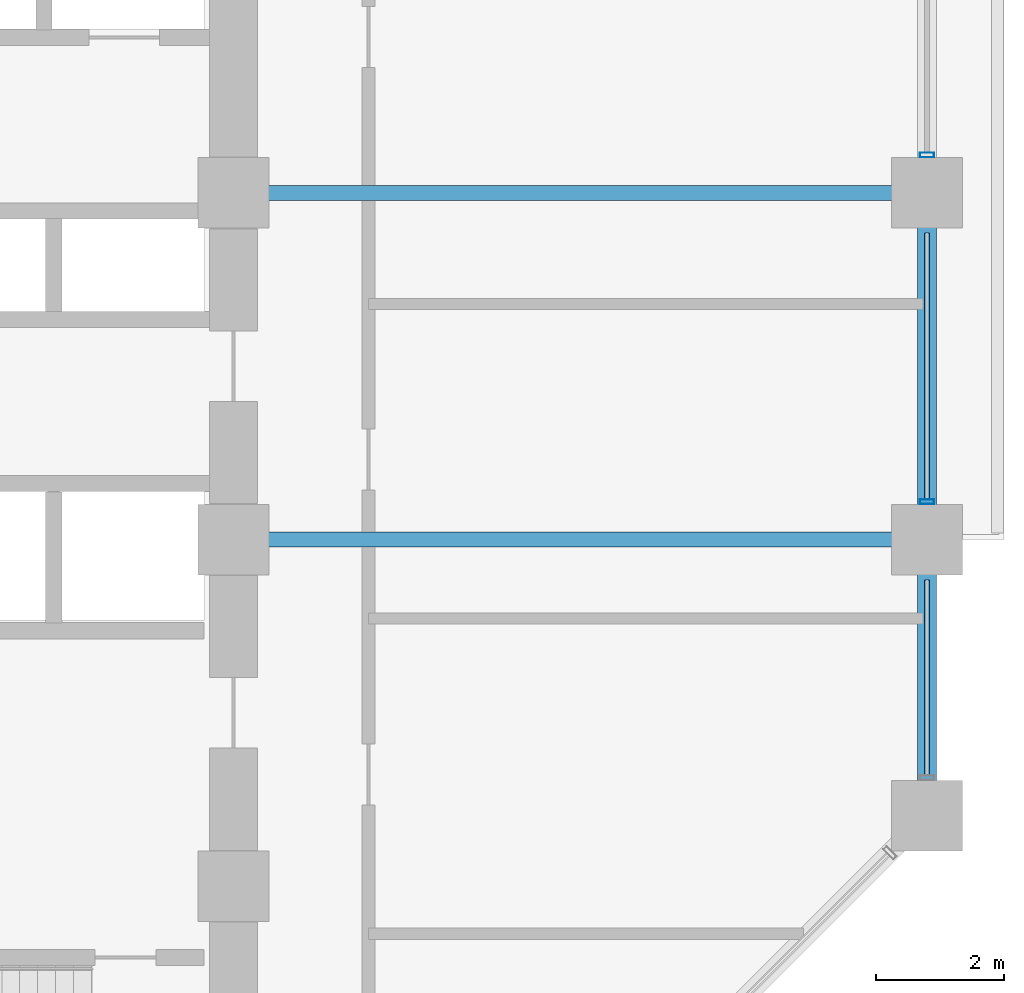
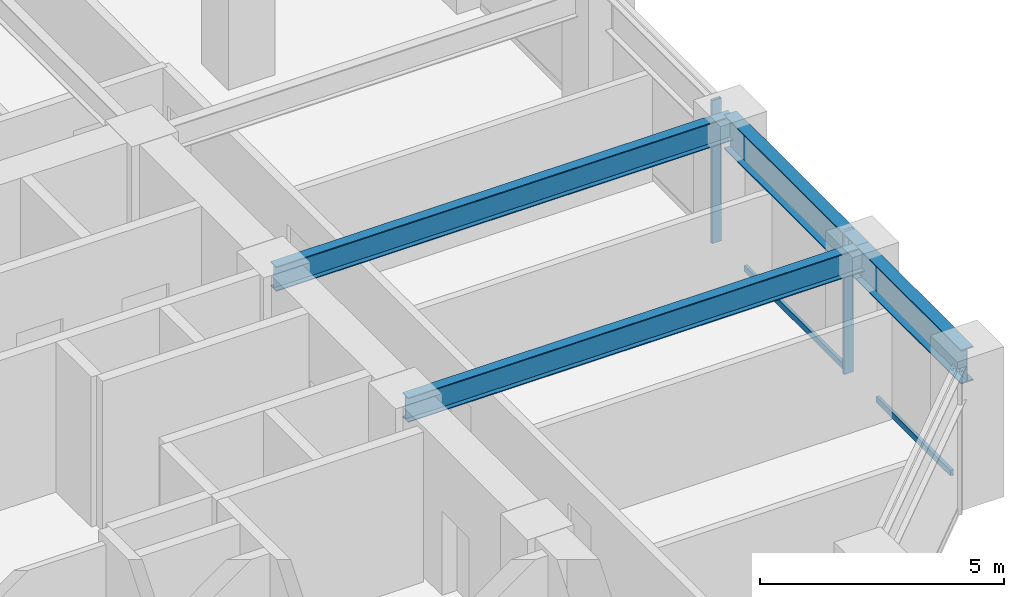
# One storey, part 9 of 24: 4 beams, 4 members, 1 element without a shape of its own.
"""IFC4 building model written with IfcOpenShell, lengths in metres."""

from ifc_helpers import new_model, si_unit, direction, frame, origin, origin_2d, place, context, subcontext, project, spatial, hollow_rectangle, i_section, extrude, material, layer, layer_set, material_profile, profile_set, type_object, element, aggregate, save


model = new_model("IFC4")

# Units and contexts
model_context = context("Model", 3, precision=1e-05, world=origin(), true_north=direction((0.0, 1.0)))
body_context = subcontext(model_context, "Body", "Model", "MODEL_VIEW")
ifc_project = project(units=[si_unit("LENGTHUNIT", "METRE"), si_unit("AREAUNIT", "SQUARE_METRE"), si_unit("VOLUMEUNIT", "CUBIC_METRE"), si_unit("PLANEANGLEUNIT", "RADIAN"), si_unit("MASSUNIT", "GRAM", prefix="KILO")], contexts=[model_context])

# Site, building, storey
site_placement = place(None, origin())
site = spatial("IfcSite", under=ifc_project, at=site_placement, CompositionType="ELEMENT")
building_placement = place(site_placement, origin())
building = spatial("IfcBuilding", under=site, at=building_placement, Name="Surkhivell Harbour Commons", CompositionType="ELEMENT")
storey_placement = place(building_placement, frame((0.0, 0.0, 105.75)))
storey = spatial("IfcBuildingStorey", under=building, at=storey_placement, Name="L27", CompositionType="ELEMENT", Elevation=105.75)

# Beams
ifc_material_1 = material(Name="Steel S355", Category="steel")
ifc_material_profile_1 = material_profile(ifc_material_1, i_section(OverallWidth=0.22998046875, OverallDepth=0.616943359375, WebThickness=0.01318359375, FlangeThickness=0.022216796875, at=origin_2d()), Name="UB610x229x140")
ifc_profile_set_1 = profile_set([ifc_material_profile_1], Name="Steel S355")
beam_type_1 = type_object("IfcBeamType", Name="BM-GRD-610B", PredefinedType="BEAM", material=ifc_profile_set_1)
for number, where, z_axis, x_axis, name in (
    (1, (10.800048828125, 0.0, 3.261474609375), (1.0, 0.0, 0.0), (0.0, 1.0, 0.0), "L27 Floor Girder (10.8,0.0)"),
    (2, (10.800048828125, 5.39990234375, 3.261474609375), (1.0, 0.0, 0.0), (0.0, 1.0, 0.0), "L27 Floor Girder (10.8,5.4)"),
):
    element("IfcBeam", number, at=place(storey_placement, frame(where, z_axis=z_axis, x_axis=x_axis)), inside=storey, type_object=beam_type_1, Name=name, PredefinedType="BEAM", context=body_context, shape_type="SweptSolid", body=[
        extrude(i_section(OverallWidth=0.22998046875, OverallDepth=0.616943359375, WebThickness=0.01318359375, FlangeThickness=0.022216796875, at=origin_2d()), origin(), (0.0, 0.0, 1.0), 10.800048828125),
    ])
ifc_material_2 = material(Name="Steel S460", Category="steel")
ifc_material_profile_2 = material_profile(ifc_material_2, i_section(OverallWidth=0.2939453125, OverallDepth=0.85107421875, WebThickness=0.01611328125, FlangeThickness=0.02685546875, at=origin_2d()), Name="UB838x292x226")
ifc_profile_set_2 = profile_set([ifc_material_profile_2], Name="Steel S460")
beam_type_2 = type_object("IfcBeamType", Name="BM-SPN-838", PredefinedType="SPANDREL", material=ifc_profile_set_2)
beam_1_placement = place(storey_placement, frame((21.60009765625, -4.300048828125, 3.14453125), z_axis=(0.0, 1.0, 0.0), x_axis=(-1.0, 0.0, 0.0)))
element("IfcBeam", 3, at=beam_1_placement, inside=storey, type_object=beam_type_2, Name="L27 Tube Spandrel (21.6,-4.3)", PredefinedType="SPANDREL", context=body_context, shape_type="SweptSolid", body=[
    extrude(i_section(OverallWidth=0.2939453125, OverallDepth=0.85107421875, WebThickness=0.01611328125, FlangeThickness=0.02685546875, at=origin_2d()), origin(), (0.0, 0.0, 1.0), 4.300048828125),
])
beam_2_placement = place(storey_placement, frame((21.60009765625, 0.0, 3.14453125), z_axis=(0.0, 1.0, 0.0), x_axis=(-1.0, 0.0, 0.0)))
element("IfcBeam", 4, at=beam_2_placement, inside=storey, type_object=beam_type_2, Name="L27 Tube Spandrel (21.6,0.0)", PredefinedType="SPANDREL", context=body_context, shape_type="SweptSolid", body=[
    extrude(i_section(OverallWidth=0.2939453125, OverallDepth=0.85107421875, WebThickness=0.01611328125, FlangeThickness=0.02685546875, at=origin_2d()), origin(), (0.0, 0.0, 1.0), 5.39990234375),
])

# Curtain wall, members
ifc_material_3 = material(Name="Anodised pale-metal aluminium and insulated glazing", Category="aluminium")
ifc_layer = layer(ifc_material_3, 0.205078125)
ifc_layer_set = layer_set([ifc_layer], Name="Anodised pale-metal aluminium and insulated glazing")
curtain_wall_type = type_object("IfcCurtainWallType", Name="CW-SYS-Z2", PredefinedType="NOTDEFINED", material=ifc_layer_set)
curtain_wall_placement = place(storey_placement, origin())
curtain_wall = element("IfcCurtainWall", 5, at=curtain_wall_placement, inside=storey, type_object=curtain_wall_type, Name="L27 Curtain Wall CW-L27-E02", PredefinedType="NOTDEFINED")
ifc_material_4 = material(Name="Anodised pale-metal aluminium alloy 6063-T6", Category="aluminium")
ifc_material_profile_3 = material_profile(ifc_material_4, hollow_rectangle(XDim=0.074951171875, YDim=0.219970703125, WallThickness=0.00390625, at=origin_2d()), Name="ALU-MULL-75x220")
ifc_profile_set_3 = profile_set([ifc_material_profile_3], Name="Anodised pale-metal aluminium alloy 6063-T6")
member_type_1 = type_object("IfcMemberType", Name="CWM-220", PredefinedType="MULLION", material=ifc_profile_set_3)
member_1_placement = place(storey_placement, frame((21.60009765625, 0.589599609375, 0.0), z_axis=(0.0, 0.0, 1.0), x_axis=(0.0, 1.0, 0.0)))
member_1 = element("IfcMember", 6, at=member_1_placement, type_object=member_type_1, Name="CW-Z2 mullion 2", PredefinedType="MULLION", context=body_context, shape_type="SweptSolid", body=[
    extrude(hollow_rectangle(XDim=0.074951171875, YDim=0.219970703125, WallThickness=0.00390625, at=origin_2d()), origin(), (0.0, 0.0, 1.0), 3.570068359375),
])
member_2_placement = place(storey_placement, frame((21.60009765625, 5.989501953125, 0.0), z_axis=(0.0, 0.0, 1.0), x_axis=(0.0, 1.0, 0.0)))
member_2 = element("IfcMember", 7, at=member_2_placement, type_object=member_type_1, Name="CW-Z2 mullion 3", PredefinedType="MULLION", context=body_context, shape_type="SweptSolid", body=[
    extrude(hollow_rectangle(XDim=0.074951171875, YDim=0.219970703125, WallThickness=0.00390625, at=origin_2d()), origin(), (0.0, 0.0, 1.0), 3.570068359375),
])
ifc_material_profile_4 = material_profile(ifc_material_4, hollow_rectangle(XDim=0.074951171875, YDim=0.14990234375, WallThickness=0.00341796875, at=origin_2d()), Name="ALU-TRAN-75x150")
ifc_profile_set_4 = profile_set([ifc_material_profile_4], Name="Anodised pale-metal aluminium alloy 6063-T6")
member_type_2 = type_object("IfcMemberType", Name="CWT-150", PredefinedType="USERDEFINED", material=ifc_profile_set_4)
member_3_placement = place(storey_placement, frame((21.60009765625, -3.673095703125, 0.074951171875), z_axis=(0.0, 1.0, 0.0), x_axis=(-1.0, 0.0, 0.0)))
member_3 = element("IfcMember", 8, at=member_3_placement, type_object=member_type_2, Name="CW-Z2 transom 1.1", ObjectType="TRANSOM", PredefinedType="USERDEFINED", context=body_context, shape_type="SweptSolid", body=[
    extrude(hollow_rectangle(XDim=0.074951171875, YDim=0.14990234375, WallThickness=0.00341796875, at=origin_2d()), origin(), (0.0, 0.0, 1.0), 3.046142578125),
])
member_4_placement = place(storey_placement, frame((21.60009765625, 0.626953125, 0.074951171875), z_axis=(0.0, 1.0, 0.0), x_axis=(-1.0, 0.0, 0.0)))
member_4 = element("IfcMember", 9, at=member_4_placement, type_object=member_type_2, Name="CW-Z2 transom 2.1", ObjectType="TRANSOM", PredefinedType="USERDEFINED", context=body_context, shape_type="SweptSolid", body=[
    extrude(hollow_rectangle(XDim=0.074951171875, YDim=0.14990234375, WallThickness=0.00341796875, at=origin_2d()), origin(), (0.0, 0.0, 1.0), 4.14599609375),
])
aggregate(curtain_wall, [member_3, member_1, member_4, member_2])

save(model, "model.ifc")
